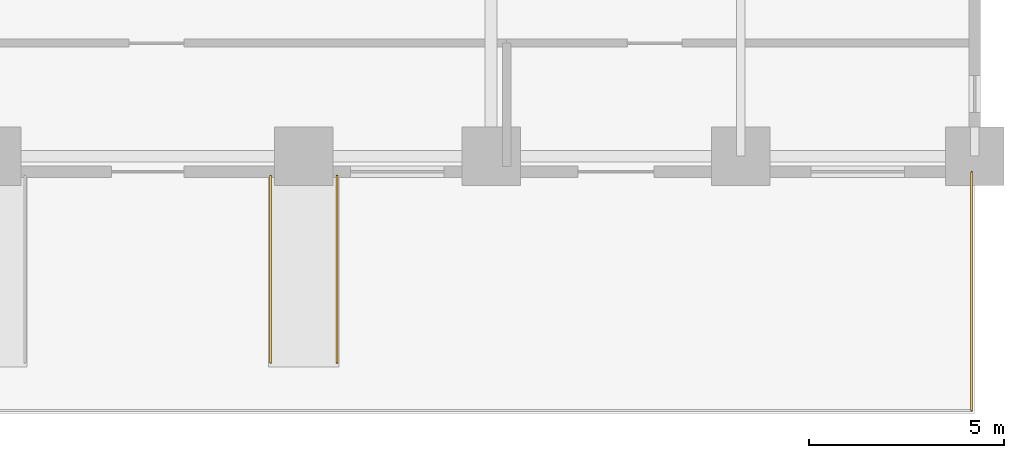
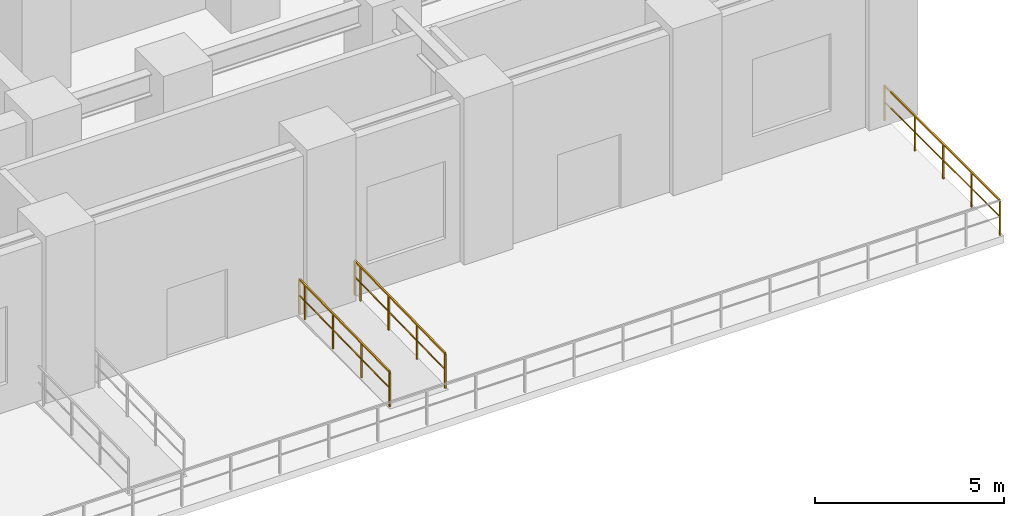
# One storey, part 22 of 22: 3 railings, 1 element without a shape of its own.
"""IFC4 building model written with IfcOpenShell, lengths in metres."""

from ifc_helpers import new_model, si_unit, direction, frame, origin, origin_2d, place, context, subcontext, project, spatial, rectangle, extrude, material, type_object, element, aggregate, save


model = new_model("IFC4")

# Units and contexts
model_context = context("Model", 3, precision=1e-05, world=origin(), true_north=direction((0.0, 1.0)))
body_context = subcontext(model_context, "Body", "Model", "MODEL_VIEW")
ifc_project = project(units=[si_unit("LENGTHUNIT", "METRE"), si_unit("AREAUNIT", "SQUARE_METRE"), si_unit("VOLUMEUNIT", "CUBIC_METRE"), si_unit("PLANEANGLEUNIT", "RADIAN"), si_unit("MASSUNIT", "GRAM", prefix="KILO")], contexts=[model_context])

# Site, building, storey
site_placement = place(None, origin())
site = spatial("IfcSite", under=ifc_project, at=site_placement, CompositionType="ELEMENT")
building_placement = place(site_placement, origin())
building = spatial("IfcBuilding", under=site, at=building_placement, Name="Kaliganga Portal Commons", CompositionType="ELEMENT")
storey_placement = place(building_placement, origin())
storey = spatial("IfcBuildingStorey", under=building, at=storey_placement, Name="L00", CompositionType="ELEMENT", Elevation=0.0)

# Railing
ifc_material_1 = material(Name="Laminated Safety Glass and Stainless Steel 316", Category="steel")
railing_type_1 = type_object("IfcRailingType", Name="RLG-BAL-1150", PredefinedType="BALUSTRADE", material=ifc_material_1)
railing_1_placement = place(storey_placement, frame((73.1201171875, -4.320068359375, -0.10009765625)))
element("IfcRailing", 1, at=railing_1_placement, inside=storey, type_object=railing_type_1, Name="Terrace Guardrail L00 promenade-03-1", PredefinedType="BALUSTRADE", context=body_context, shape_type="SweptSolid", body=[
    extrude(rectangle(XDim=0.048095703125, YDim=0.048095703125, at=origin_2d()), frame((0.0, 0.0, 1.1259765625), z_axis=(0.0, 1.0, 0.0), x_axis=(-1.0, 0.0, 0.0)), (0.0, 0.0, 1.0), 6.1201171875),
    extrude(rectangle(XDim=0.028076171875, YDim=0.028076171875, at=origin_2d()), frame((0.0, 0.0, 0.597900390625), z_axis=(0.0, 1.0, 0.0), x_axis=(-1.0, 0.0, 0.0)), (0.0, 0.0, 1.0), 6.1201171875),
    extrude(rectangle(XDim=0.0419921875, YDim=0.0419921875, at=origin_2d()), origin(), (0.0, 0.0, 1.0), 1.101806640625),
    extrude(rectangle(XDim=0.0419921875, YDim=0.0419921875, at=origin_2d()), frame((0.0, 1.5, 0.0)), (0.0, 0.0, 1.0), 1.101806640625),
    extrude(rectangle(XDim=0.0419921875, YDim=0.0419921875, at=origin_2d()), frame((0.0, 3.0, 0.0)), (0.0, 0.0, 1.0), 1.101806640625),
    extrude(rectangle(XDim=0.0419921875, YDim=0.0419921875, at=origin_2d()), frame((0.0, 4.5, 0.0)), (0.0, 0.0, 1.0), 1.101806640625),
    extrude(rectangle(XDim=0.0419921875, YDim=0.0419921875, at=origin_2d()), frame((0.0, 6.1201171875, 0.0)), (0.0, 0.0, 1.0), 1.101806640625),
])

# Ramp, railings
ifc_material_2 = material(Name="Concrete C40/50", Category="concrete")
ramp_type = type_object("IfcRampType", Name="RMP-PROM-ACC", PredefinedType="STRAIGHT_RUN_RAMP", material=ifc_material_2)
ramp_placement = place(storey_placement, origin())
ramp = element("IfcRamp", 2, at=ramp_placement, inside=storey, type_object=ramp_type, Name="Accessible Canal Promenade Ramp RMP-06", PredefinedType="STRAIGHT_RUN_RAMP")
ifc_material_3 = material(Name="Stainless Steel 316", Category="steel")
railing_type_2 = type_object("IfcRailingType", Name="RLG-RAMP-1150", PredefinedType="GUARDRAIL", material=ifc_material_3)
railing_2_placement = place(storey_placement, frame((55.14990234375, -3.10009765625, -0.10009765625)))
railing_2 = element("IfcRailing", 3, at=railing_2_placement, type_object=railing_type_2, Name="Promenade Ramp Handrail 06L", PredefinedType="GUARDRAIL", context=body_context, shape_type="SweptSolid", body=[
    extrude(rectangle(XDim=0.048095703125, YDim=0.048095703125, at=origin_2d()), frame((0.0, 0.0, 1.125732421875), z_axis=(0.0, 0.999782637363, 0.020848933489), x_axis=(-1.0, 0.0, 0.0)), (0.0, 0.0, 1.0), 4.801025390625),
    extrude(rectangle(XDim=0.028076171875, YDim=0.028076171875, at=origin_2d()), frame((0.0, 0.0, 0.597900390625), z_axis=(0.0, 0.999782637363, 0.020848933489), x_axis=(-1.0, 0.0, 0.0)), (0.0, 0.0, 1.0), 4.801025390625),
    extrude(rectangle(XDim=0.0419921875, YDim=0.0419921875, at=origin_2d()), origin(), (0.0, 0.0, 1.0), 1.101806640625),
    extrude(rectangle(XDim=0.0419921875, YDim=0.0419921875, at=origin_2d()), frame((0.0, 1.499755859375, 0.03125)), (0.0, 0.0, 1.0), 1.101806640625),
    extrude(rectangle(XDim=0.0419921875, YDim=0.0419921875, at=origin_2d()), frame((0.0, 2.999267578125, 0.0625)), (0.0, 0.0, 1.0), 1.101806640625),
    extrude(rectangle(XDim=0.0419921875, YDim=0.0419921875, at=origin_2d()), frame((0.0, 4.4990234375, 0.09375)), (0.0, 0.0, 1.0), 1.101806640625),
    extrude(rectangle(XDim=0.0419921875, YDim=0.0419921875, at=origin_2d()), frame((0.0, 4.800048828125, 0.10009765625)), (0.0, 0.0, 1.0), 1.101806640625),
])
railing_3_placement = place(storey_placement, frame((56.85009765625, -3.10009765625, -0.10009765625)))
railing_3 = element("IfcRailing", 4, at=railing_3_placement, type_object=railing_type_2, Name="Promenade Ramp Handrail 06R", PredefinedType="GUARDRAIL", context=body_context, shape_type="SweptSolid", body=[
    extrude(rectangle(XDim=0.048095703125, YDim=0.048095703125, at=origin_2d()), frame((0.0, 0.0, 1.125732421875), z_axis=(0.0, 0.999782637363, 0.020848933489), x_axis=(-1.0, 0.0, 0.0)), (0.0, 0.0, 1.0), 4.801025390625),
    extrude(rectangle(XDim=0.028076171875, YDim=0.028076171875, at=origin_2d()), frame((0.0, 0.0, 0.597900390625), z_axis=(0.0, 0.999782637363, 0.020848933489), x_axis=(-1.0, 0.0, 0.0)), (0.0, 0.0, 1.0), 4.801025390625),
    extrude(rectangle(XDim=0.0419921875, YDim=0.0419921875, at=origin_2d()), origin(), (0.0, 0.0, 1.0), 1.101806640625),
    extrude(rectangle(XDim=0.0419921875, YDim=0.0419921875, at=origin_2d()), frame((0.0, 1.499755859375, 0.03125)), (0.0, 0.0, 1.0), 1.101806640625),
    extrude(rectangle(XDim=0.0419921875, YDim=0.0419921875, at=origin_2d()), frame((0.0, 2.999267578125, 0.0625)), (0.0, 0.0, 1.0), 1.101806640625),
    extrude(rectangle(XDim=0.0419921875, YDim=0.0419921875, at=origin_2d()), frame((0.0, 4.4990234375, 0.09375)), (0.0, 0.0, 1.0), 1.101806640625),
    extrude(rectangle(XDim=0.0419921875, YDim=0.0419921875, at=origin_2d()), frame((0.0, 4.800048828125, 0.10009765625)), (0.0, 0.0, 1.0), 1.101806640625),
])
aggregate(ramp, [railing_2, railing_3])

save(model, "model.ifc")
